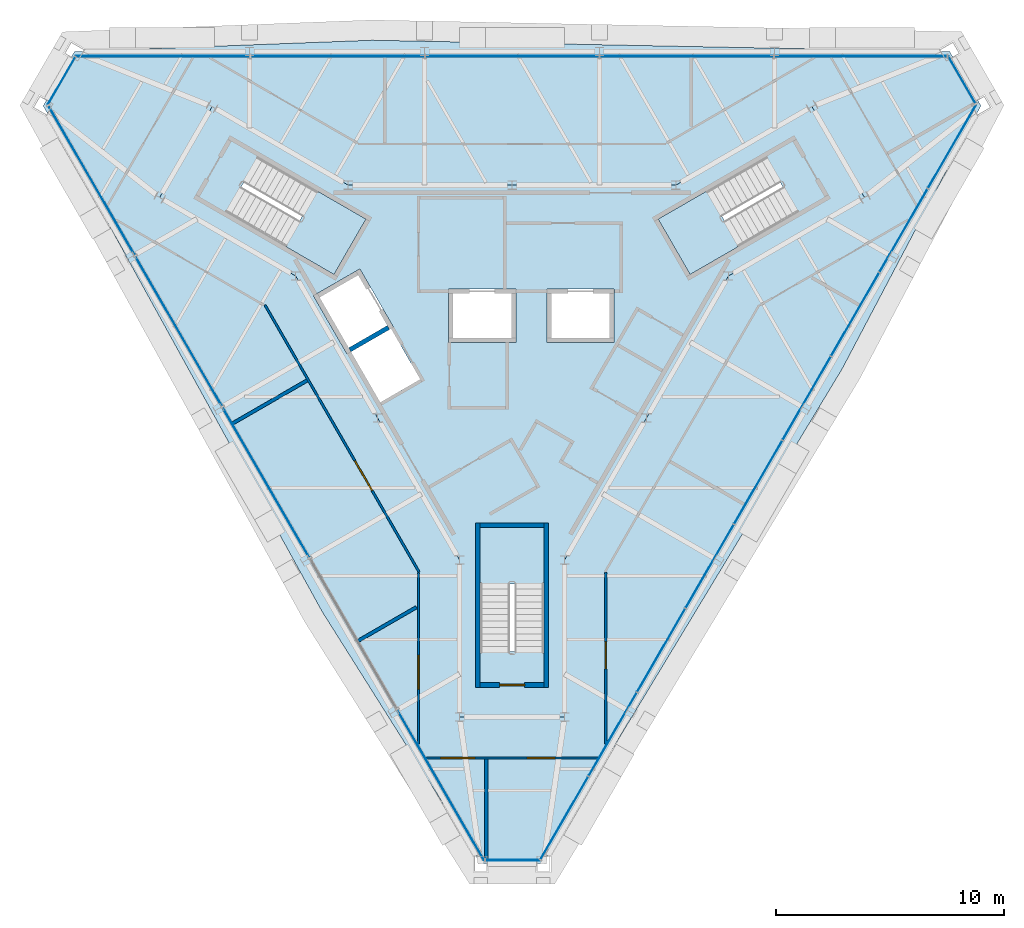
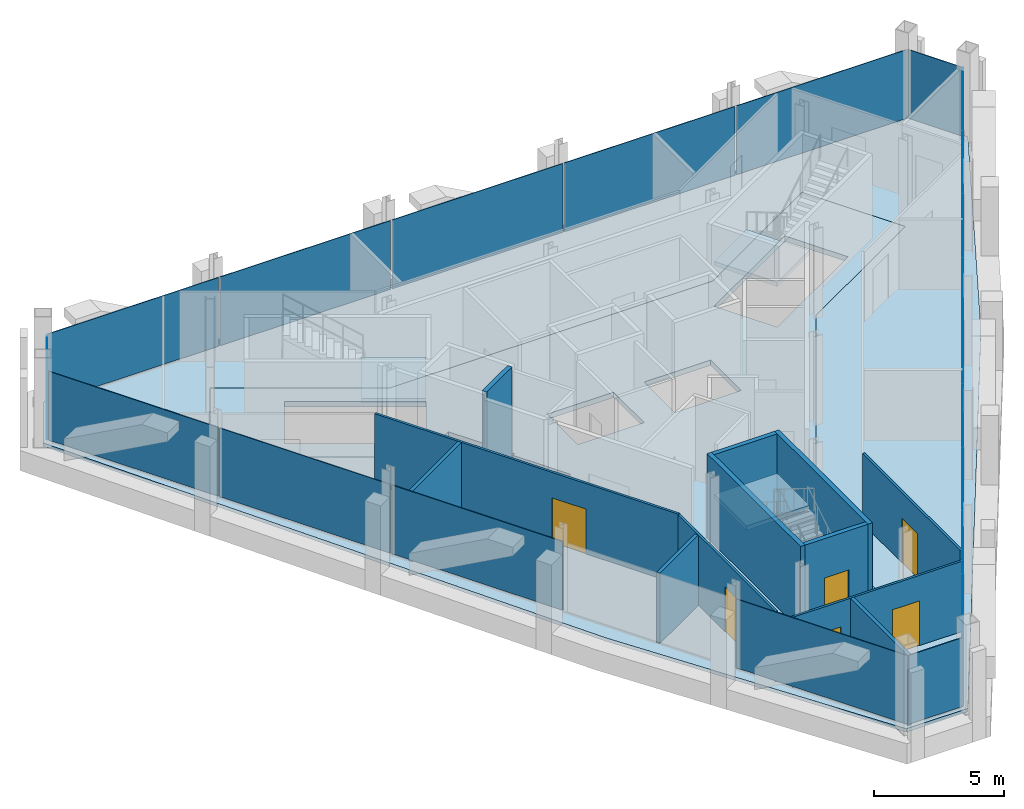
# One storey, part 8 of 13: 21 plates, 12 walls, 6 doors, 5 slabs, 6 openings, 9 elements without a shape of their own.
"""IFC4 building model written with IfcOpenShell, lengths in metres."""

from ifc_helpers import new_model, si_unit, direction, frame, frame_2d, origin, origin_2d, place, context, subcontext, project, spatial, polyline, rectangle, outline, extrude, material, layer, layer_set, type_object, element, fill, aggregate, save


model = new_model("IFC4")

# Units and contexts
model_context = context("Model", 3, precision=1e-05, world=origin(), true_north=direction((0.0, 1.0)))
body_context = subcontext(model_context, "Body", "Model", "MODEL_VIEW")
ifc_project = project(units=[si_unit("LENGTHUNIT", "METRE"), si_unit("AREAUNIT", "SQUARE_METRE"), si_unit("VOLUMEUNIT", "CUBIC_METRE"), si_unit("PLANEANGLEUNIT", "RADIAN"), si_unit("MASSUNIT", "GRAM", prefix="KILO")], contexts=[model_context])

# Site, building, storey
site_placement = place(None, origin())
site = spatial("IfcSite", under=ifc_project, at=site_placement, CompositionType="ELEMENT")
building_placement = place(site_placement, origin())
building = spatial("IfcBuilding", under=site, at=building_placement, Name="Verrane Prism Tower", CompositionType="ELEMENT")
storey_placement = place(building_placement, frame((0.0, 0.0, 316.800048828125)))
storey = spatial("IfcBuildingStorey", under=building, at=storey_placement, Name="L80", CompositionType="ELEMENT", Elevation=316.800048828125)

# Slabs
ifc_material_1 = material(Name="Concrete C35/45", Category="concrete")
ifc_layer_1 = layer(ifc_material_1, 0.159912109375)
ifc_layer_set_1 = layer_set([ifc_layer_1], Name="Composite floor slab")
slab_type_1 = type_object("IfcSlabType", Name="Composite floor slab", PredefinedType="FLOOR", material=ifc_layer_set_1)
slab_1_placement = place(storey_placement, frame((0.0, 0.0, -0.16015625)))
element("IfcSlab", 1, at=slab_1_placement, inside=storey, type_object=slab_type_1, Name="Floor slab L80", PredefinedType="FLOOR", context=body_context, shape_type="SweptSolid", body=[
    extrude(outline(polyline([(14.455810546875, -1.26171875), (1.368896484375, -22.9287109375), (-1.368896484375, -22.9287109375), (-8.320556640625, -11.88818359375), (-20.54150390625, 10.27880859375), (-19.17236328125, 12.64990234375), (-6.13525390625, 13.14990234375), (19.17236328125, 12.64990234375), (20.54150390625, 10.27880859375), (14.455810546875, -1.26171875)]), holes=[polyline([(15.43994140625, 6.260009765625), (13.139892578125, 10.239990234375), (7.179931640625, 6.800048828125), (0.0, 6.800048828125), (-7.179931640625, 6.800048828125), (-13.139892578125, 10.239990234375), (-15.43994140625, 6.260009765625), (-9.47998046875, 2.820068359375), (-5.889892578125, -3.39990234375), (-2.300048828125, -9.6201171875), (-2.300048828125, -16.5), (2.300048828125, -16.5), (2.300048828125, -9.6201171875), (5.889892578125, -3.39990234375), (9.47998046875, 2.820068359375), (15.43994140625, 6.260009765625)])]), origin(), (0.0, 0.0, 1.0), 0.16015625),
])
ifc_material_2 = material(Name="Concrete C40/50", Category="concrete")
ifc_layer_2 = layer(ifc_material_2, 0.25)
ifc_layer_set_2 = layer_set([ifc_layer_2], Name="Core floor slab 250 concrete C40/50")
slab_type_2 = type_object("IfcSlabType", Name="Core floor slab 250 concrete C40/50", PredefinedType="FLOOR", material=ifc_layer_set_2)
slab_2_placement = place(storey_placement, frame((0.0, 0.0, -0.25)))
element("IfcSlab", 2, at=slab_2_placement, inside=storey, type_object=slab_type_2, Name="Core floor L80", PredefinedType="FLOOR", context=body_context, shape_type="SweptSolid", body=[
    extrude(outline(polyline([(9.47998046875, 2.820068359375), (15.43994140625, 6.260009765625), (13.139892578125, 10.239990234375), (7.179931640625, 6.800048828125), (0.0, 6.800048828125), (-7.179931640625, 6.800048828125), (-13.139892578125, 10.239990234375), (-15.43994140625, 6.260009765625), (-9.47998046875, 2.820068359375), (-5.889892578125, -3.39990234375), (-2.300048828125, -9.6201171875), (-2.300048828125, -16.5), (2.300048828125, -16.5), (2.300048828125, -9.6201171875), (5.889892578125, -3.39990234375), (9.47998046875, 2.820068359375)]), holes=[polyline([(-1.39990234375, -8.199951171875), (1.39990234375, -8.199951171875), (1.39990234375, -13.639892578125), (-1.39990234375, -13.639892578125), (-1.39990234375, -8.199951171875)]), polyline([(0.1650390625, 2.25), (0.1650390625, -0.10009765625), (-2.784912109375, -0.10009765625), (-2.784912109375, 2.25), (0.1650390625, 2.25)]), polyline([(4.47509765625, 2.25), (4.47509765625, -0.10009765625), (1.52490234375, -0.10009765625), (1.52490234375, 2.25), (4.47509765625, 2.25)]), polyline([(-6.40087890625, 5.31201171875), (-7.801025390625, 2.887939453125), (-12.512939453125, 5.60791015625), (-11.113037109375, 8.031982421875), (-6.40087890625, 5.31201171875)]), polyline([(7.801025390625, 2.887939453125), (6.40087890625, 5.31201171875), (11.113037109375, 8.031982421875), (12.512939453125, 5.60791015625), (7.801025390625, 2.887939453125)]), polyline([(-4.02099609375, -1.7041015625), (-5.77490234375, -2.717041015625), (-7.055419921875, -0.500244140625), (-7.22900390625, -0.60009765625), (-8.7041015625, 1.955078125), (-6.66796875, 3.1298828125), (-5.193115234375, 0.574951171875), (-5.301513671875, 0.5126953125), (-4.02099609375, -1.7041015625)])]), origin(), (0.0, 0.0, 1.0), 0.25),
])

# Curtain wall, plate
ifc_material_3 = material(Name="Aluminium framed insulated glazing", Category="aluminium")
curtain_wall_type_1 = type_object("IfcCurtainWallType", Name="Curtain wall CW-C 4200 module", PredefinedType="NOTDEFINED", material=ifc_material_3)
curtain_wall_1_placement = place(storey_placement, origin())
curtain_wall_1 = element("IfcCurtainWall", 3, at=curtain_wall_1_placement, inside=storey, type_object=curtain_wall_type_1, Name="Glazed curtain wall north-west corner L80", PredefinedType="NOTDEFINED")
ifc_material_4 = material(Name="Low-iron insulating glass unit", Category="glass")
ifc_layer_3 = layer(ifc_material_4, 0.02392578125)
ifc_layer_set_3 = layer_set([ifc_layer_3], Name="Glazing panel IGU 24")
plate_type_1 = type_object("IfcPlateType", Name="Glazing panel IGU 24", PredefinedType="CURTAIN_PANEL", material=ifc_layer_set_3)
plate_1_placement = place(storey_placement, frame((-19.73779296875, 11.36669921875, 0.050048828125), z_axis=(0.0, 0.0, 1.0), x_axis=(-0.500000941634, -0.866024860131, 0.0)))
plate_1 = element("IfcPlate", 4, at=plate_1_placement, type_object=plate_type_1, Name="CW80.3 panel 1", PredefinedType="CURTAIN_PANEL", context=body_context, shape_type="SweptSolid", body=[
    extrude(rectangle(XDim=2.395263671875, YDim=0.02392578125, at=origin_2d()), origin(), (0.0, 0.0, 1.0), 3.24658203125),
])
aggregate(curtain_wall_1, [plate_1])

# Curtain wall, plates
curtain_wall_2_placement = place(storey_placement, origin())
curtain_wall_2 = element("IfcCurtainWall", 5, at=curtain_wall_2_placement, inside=storey, type_object=curtain_wall_type_1, Name="Glazed curtain wall south-east face L80", PredefinedType="NOTDEFINED")
plate_2_placement = place(storey_placement, frame((2.290771484375, -20.9267578125, 0.050048828125), z_axis=(0.0, 0.0, 1.0), x_axis=(0.500000216749, 0.866025278644, 0.0)))
plate_2 = element("IfcPlate", 6, at=plate_2_placement, type_object=plate_type_1, Name="CW80.6 panel 1", PredefinedType="CURTAIN_PANEL", context=body_context, shape_type="SweptSolid", body=[
    extrude(rectangle(XDim=4.172607421875, YDim=0.02392578125, at=origin_2d()), origin(), (0.0, 0.0, 1.0), 3.24658203125),
])
plate_3_placement = place(storey_placement, frame((4.408203125, -17.259033203125, 0.050048828125), z_axis=(0.0, 0.0, 1.0), x_axis=(0.500000216749, 0.866025278644, 0.0)))
plate_3 = element("IfcPlate", 7, at=plate_3_placement, type_object=plate_type_1, Name="CW80.6 panel 2", PredefinedType="CURTAIN_PANEL", context=body_context, shape_type="SweptSolid", body=[
    extrude(rectangle(XDim=4.197509765625, YDim=0.02392578125, at=origin_2d()), origin(), (0.0, 0.0, 1.0), 3.24658203125),
])
plate_4_placement = place(storey_placement, frame((6.531982421875, -13.58056640625, 0.050048828125), z_axis=(0.0, 0.0, 1.0), x_axis=(0.500000216749, 0.866025278644, 0.0)))
plate_4 = element("IfcPlate", 8, at=plate_4_placement, type_object=plate_type_1, Name="CW80.6 panel 3", PredefinedType="CURTAIN_PANEL", context=body_context, shape_type="SweptSolid", body=[
    extrude(rectangle(XDim=4.197509765625, YDim=0.02392578125, at=origin_2d()), origin(), (0.0, 0.0, 1.0), 3.24658203125),
])
plate_5_placement = place(storey_placement, frame((8.65576171875, -9.902099609375, 0.050048828125), z_axis=(0.0, 0.0, 1.0), x_axis=(0.500000216749, 0.866025278644, 0.0)))
plate_5 = element("IfcPlate", 9, at=plate_5_placement, type_object=plate_type_1, Name="CW80.6 panel 4", PredefinedType="CURTAIN_PANEL", context=body_context, shape_type="SweptSolid", body=[
    extrude(rectangle(XDim=4.197509765625, YDim=0.02392578125, at=origin_2d()), origin(), (0.0, 0.0, 1.0), 3.24658203125),
])
plate_6_placement = place(storey_placement, frame((10.779541015625, -6.2236328125, 0.050048828125), z_axis=(0.0, 0.0, 1.0), x_axis=(0.500000216749, 0.866025278644, 0.0)))
plate_6 = element("IfcPlate", 10, at=plate_6_placement, type_object=plate_type_1, Name="CW80.6 panel 5", PredefinedType="CURTAIN_PANEL", context=body_context, shape_type="SweptSolid", body=[
    extrude(rectangle(XDim=4.197509765625, YDim=0.02392578125, at=origin_2d()), origin(), (0.0, 0.0, 1.0), 3.24658203125),
])
plate_7_placement = place(storey_placement, frame((12.9033203125, -2.545166015625, 0.050048828125), z_axis=(0.0, 0.0, 1.0), x_axis=(0.500000216749, 0.866025278644, 0.0)))
plate_7 = element("IfcPlate", 11, at=plate_7_placement, type_object=plate_type_1, Name="CW80.6 panel 6", PredefinedType="CURTAIN_PANEL", context=body_context, shape_type="SweptSolid", body=[
    extrude(rectangle(XDim=4.197509765625, YDim=0.02392578125, at=origin_2d()), origin(), (0.0, 0.0, 1.0), 3.24658203125),
])
plate_8_placement = place(storey_placement, frame((15.027099609375, 1.13330078125, 0.050048828125), z_axis=(0.0, 0.0, 1.0), x_axis=(0.500000216749, 0.866025278644, 0.0)))
plate_8 = element("IfcPlate", 12, at=plate_8_placement, type_object=plate_type_1, Name="CW80.6 panel 7", PredefinedType="CURTAIN_PANEL", context=body_context, shape_type="SweptSolid", body=[
    extrude(rectangle(XDim=4.197509765625, YDim=0.02392578125, at=origin_2d()), origin(), (0.0, 0.0, 1.0), 3.24658203125),
])
plate_9_placement = place(storey_placement, frame((17.15087890625, 4.811767578125, 0.050048828125), z_axis=(0.0, 0.0, 1.0), x_axis=(0.500000216749, 0.866025278644, 0.0)))
plate_9 = element("IfcPlate", 13, at=plate_9_placement, type_object=plate_type_1, Name="CW80.6 panel 8", PredefinedType="CURTAIN_PANEL", context=body_context, shape_type="SweptSolid", body=[
    extrude(rectangle(XDim=4.197509765625, YDim=0.02392578125, at=origin_2d()), origin(), (0.0, 0.0, 1.0), 3.24658203125),
])
plate_10_placement = place(storey_placement, frame((19.281005859375, 8.501220703125, 0.050048828125), z_axis=(0.0, 0.0, 1.0), x_axis=(0.500000216749, 0.866025278644, 0.0)))
plate_10 = element("IfcPlate", 14, at=plate_10_placement, type_object=plate_type_1, Name="CW80.6 panel 9", PredefinedType="CURTAIN_PANEL", context=body_context, shape_type="SweptSolid", body=[
    extrude(rectangle(XDim=4.22265625, YDim=0.02392578125, at=origin_2d()), origin(), (0.0, 0.0, 1.0), 3.24658203125),
])
aggregate(curtain_wall_2, [plate_2, plate_3, plate_4, plate_5, plate_6, plate_7, plate_8, plate_9, plate_10])

# Curtain wall, plate
ifc_material_5 = material(Name="Aluminium framed insulated glazing", Category="aluminium")
curtain_wall_type_2 = type_object("IfcCurtainWallType", Name="Curtain wall CW-B 5600 module", PredefinedType="NOTDEFINED", material=ifc_material_5)
curtain_wall_3_placement = place(storey_placement, origin())
curtain_wall_3 = element("IfcCurtainWall", 15, at=curtain_wall_3_placement, inside=storey, type_object=curtain_wall_type_2, Name="Glazed curtain wall south corner L80", PredefinedType="NOTDEFINED")
ifc_material_6 = material(Name="Low-iron insulating glass unit", Category="glass")
ifc_layer_4 = layer(ifc_material_6, 0.028076171875)
ifc_layer_set_4 = layer_set([ifc_layer_4], Name="Glazing panel IGU 28")
plate_type_2 = type_object("IfcPlateType", Name="Glazing panel IGU 28", PredefinedType="CURTAIN_PANEL", material=ifc_layer_set_4)
plate_11_placement = place(storey_placement, frame((0.030029296875, -22.77685546875, 0.059814453125), z_axis=(0.0, 0.0, 1.0), x_axis=(1.0, 0.0, 0.0)))
plate_11 = element("IfcPlate", 16, at=plate_11_placement, type_object=plate_type_2, Name="CW80.5 panel 1", PredefinedType="CURTAIN_PANEL", context=body_context, shape_type="SweptSolid", body=[
    extrude(rectangle(XDim=2.38525390625, YDim=0.028076171875, at=origin_2d()), origin(), (0.0, 0.0, 1.0), 3.23681640625),
])
aggregate(curtain_wall_3, [plate_11])

ifc_material_7 = material(Name="Aluminium framed insulated glazing", Category="aluminium")
curtain_wall_type_3 = type_object("IfcCurtainWallType", Name="Curtain wall CW-A 8400 module", PredefinedType="NOTDEFINED", material=ifc_material_7)
curtain_wall_4_placement = place(storey_placement, origin())
curtain_wall_4 = element("IfcCurtainWall", 17, at=curtain_wall_4_placement, inside=storey, type_object=curtain_wall_type_3, Name="Glazed curtain wall north-east corner L80", PredefinedType="NOTDEFINED")
ifc_material_8 = material(Name="Low-iron insulating glass unit", Category="glass")
ifc_layer_5 = layer(ifc_material_8, 0.031982421875)
ifc_layer_set_5 = layer_set([ifc_layer_5], Name="Glazing panel IGU 32")
plate_type_3 = type_object("IfcPlateType", Name="Glazing panel IGU 32", PredefinedType="CURTAIN_PANEL", material=ifc_layer_set_5)
plate_12_placement = place(storey_placement, frame((19.707763671875, 11.418701171875, 0.06982421875), z_axis=(0.0, 0.0, 1.0), x_axis=(-0.500000941634, 0.866024860131, 0.0)))
plate_12 = element("IfcPlate", 18, at=plate_12_placement, type_object=plate_type_3, Name="CW80.1 panel 1", PredefinedType="CURTAIN_PANEL", context=body_context, shape_type="SweptSolid", body=[
    extrude(rectangle(XDim=2.375244140625, YDim=0.031982421875, at=origin_2d()), origin(), (0.0, 0.0, 1.0), 3.226806640625),
])
aggregate(curtain_wall_4, [plate_12])

# Curtain wall, plates
curtain_wall_5_placement = place(storey_placement, origin())
curtain_wall_5 = element("IfcCurtainWall", 19, at=curtain_wall_5_placement, inside=storey, type_object=curtain_wall_type_3, Name="Glazed curtain wall north face L80", PredefinedType="NOTDEFINED")
plate_13_placement = place(storey_placement, frame((15.273681640625, 12.447265625, 0.06982421875), z_axis=(0.0, 0.0, 1.0), x_axis=(-1.0, 0.0, 0.0)))
plate_13 = element("IfcPlate", 20, at=plate_13_placement, type_object=plate_type_3, Name="CW80.2 panel 1", PredefinedType="CURTAIN_PANEL", context=body_context, shape_type="SweptSolid", body=[
    extrude(rectangle(XDim=7.54052734375, YDim=0.031982421875, at=origin_2d()), origin(), (0.0, 0.0, 1.0), 3.226806640625),
])
plate_14_placement = place(storey_placement, frame((7.6455078125, 12.447265625, 0.06982421875), z_axis=(0.0, 0.0, 1.0), x_axis=(-1.0, 0.0, 0.0)))
plate_14 = element("IfcPlate", 21, at=plate_14_placement, type_object=plate_type_3, Name="CW80.2 panel 2", PredefinedType="CURTAIN_PANEL", context=body_context, shape_type="SweptSolid", body=[
    extrude(rectangle(XDim=7.57568359375, YDim=0.031982421875, at=origin_2d()), origin(), (0.0, 0.0, 1.0), 3.226806640625),
])
plate_15_placement = place(storey_placement, frame((0.0, 12.447265625, 0.06982421875), z_axis=(0.0, 0.0, 1.0), x_axis=(-1.0, 0.0, 0.0)))
plate_15 = element("IfcPlate", 22, at=plate_15_placement, type_object=plate_type_3, Name="CW80.2 panel 3", PredefinedType="CURTAIN_PANEL", context=body_context, shape_type="SweptSolid", body=[
    extrude(rectangle(XDim=7.57568359375, YDim=0.031982421875, at=origin_2d()), origin(), (0.0, 0.0, 1.0), 3.226806640625),
])
plate_16_placement = place(storey_placement, frame((-7.6455078125, 12.447265625, 0.06982421875), z_axis=(0.0, 0.0, 1.0), x_axis=(-1.0, 0.0, 0.0)))
plate_16 = element("IfcPlate", 23, at=plate_16_placement, type_object=plate_type_3, Name="CW80.2 panel 4", PredefinedType="CURTAIN_PANEL", context=body_context, shape_type="SweptSolid", body=[
    extrude(rectangle(XDim=7.57568359375, YDim=0.031982421875, at=origin_2d()), origin(), (0.0, 0.0, 1.0), 3.226806640625),
])
plate_17_placement = place(storey_placement, frame((-15.30859375, 12.447265625, 0.06982421875), z_axis=(0.0, 0.0, 1.0), x_axis=(-1.0, 0.0, 0.0)))
plate_17 = element("IfcPlate", 24, at=plate_17_placement, type_object=plate_type_3, Name="CW80.2 panel 5", PredefinedType="CURTAIN_PANEL", context=body_context, shape_type="SweptSolid", body=[
    extrude(rectangle(XDim=7.610595703125, YDim=0.031982421875, at=origin_2d()), origin(), (0.0, 0.0, 1.0), 3.226806640625),
])
aggregate(curtain_wall_5, [plate_13, plate_14, plate_15, plate_16, plate_17])

curtain_wall_6_placement = place(storey_placement, origin())
curtain_wall_6 = element("IfcCurtainWall", 25, at=curtain_wall_6_placement, inside=storey, type_object=curtain_wall_type_3, Name="Glazed curtain wall south-west face L80", PredefinedType="NOTDEFINED")
plate_18_placement = place(storey_placement, frame((-18.41650390625, 7.00390625, 0.06982421875), z_axis=(0.0, 0.0, 1.0), x_axis=(0.500000216749, -0.866025278644, 0.0)))
plate_18 = element("IfcPlate", 26, at=plate_18_placement, type_object=plate_type_3, Name="CW80.4 panel 1", PredefinedType="CURTAIN_PANEL", context=body_context, shape_type="SweptSolid", body=[
    extrude(rectangle(XDim=7.54052734375, YDim=0.031982421875, at=origin_2d()), origin(), (0.0, 0.0, 1.0), 3.226806640625),
])
plate_19_placement = place(storey_placement, frame((-14.602294921875, 0.397705078125, 0.06982421875), z_axis=(0.0, 0.0, 1.0), x_axis=(0.500000216749, -0.866025278644, 0.0)))
plate_19 = element("IfcPlate", 27, at=plate_19_placement, type_object=plate_type_3, Name="CW80.4 panel 2", PredefinedType="CURTAIN_PANEL", context=body_context, shape_type="SweptSolid", body=[
    extrude(rectangle(XDim=7.57568359375, YDim=0.031982421875, at=origin_2d()), origin(), (0.0, 0.0, 1.0), 3.226806640625),
])
plate_20_placement = place(storey_placement, frame((-10.779541015625, -6.2236328125, 0.06982421875), z_axis=(0.0, 0.0, 1.0), x_axis=(0.500000216749, -0.866025278644, 0.0)))
plate_20 = element("IfcPlate", 28, at=plate_20_placement, type_object=plate_type_3, Name="CW80.4 panel 3", PredefinedType="CURTAIN_PANEL", context=body_context, shape_type="SweptSolid", body=[
    extrude(rectangle(XDim=7.57568359375, YDim=0.031982421875, at=origin_2d()), origin(), (0.0, 0.0, 1.0), 3.226806640625),
])
plate_21_placement = place(storey_placement, frame((-3.125244140625, -19.481201171875, 0.06982421875), z_axis=(0.0, 0.0, 1.0), x_axis=(0.500000216749, -0.866025278644, 0.0)))
plate_21 = element("IfcPlate", 29, at=plate_21_placement, type_object=plate_type_3, Name="CW80.4 panel 5", PredefinedType="CURTAIN_PANEL", context=body_context, shape_type="SweptSolid", body=[
    extrude(rectangle(XDim=7.610595703125, YDim=0.031982421875, at=origin_2d()), origin(), (0.0, 0.0, 1.0), 3.226806640625),
])
aggregate(curtain_wall_6, [plate_18, plate_19, plate_20, plate_21])

# Stair, slab
ifc_material_9 = material(Name="Concrete C40/50", Category="concrete")
stair_type = type_object("IfcStairType", Name="Exit stair 1300 dog-leg precast concrete C40/50", PredefinedType="HALF_TURN_STAIR", material=ifc_material_9)
stair_1_placement = place(storey_placement, origin())
stair_1 = element("IfcStair", 30, at=stair_1_placement, inside=storey, type_object=stair_type, Name="Stair 1 L80", PredefinedType="HALF_TURN_STAIR")
ifc_material_10 = material(Name="Concrete C40/50", Category="concrete")
ifc_layer_6 = layer(ifc_material_10, 0.199951171875)
ifc_layer_set_6 = layer_set([ifc_layer_6], Name="Stair landing 200 precast concrete C40/50")
slab_type_3 = type_object("IfcSlabType", Name="Stair landing 200 precast concrete C40/50", PredefinedType="LANDING", material=ifc_layer_set_6)
slab_3_placement = place(storey_placement, frame((0.0, 0.0, 1.89990234375)))
slab_3 = element("IfcSlab", 31, at=slab_3_placement, type_object=slab_type_3, Name="Stair 1 landing 1", PredefinedType="LANDING", context=body_context, shape_type="SweptSolid", body=[
    extrude(outline(polyline([(8.549072265625, 6.552490234375), (6.4013671875, 5.3125), (7.801513671875, 2.887451171875), (9.94921875, 4.127685546875), (8.549072265625, 6.552490234375)])), origin(), (0.0, 0.0, 1.0), 0.199951171875),
])
aggregate(stair_1, [slab_3])

stair_2_placement = place(storey_placement, origin())
stair_2 = element("IfcStair", 32, at=stair_2_placement, inside=storey, type_object=stair_type, Name="Stair 2 L80", PredefinedType="HALF_TURN_STAIR")
slab_4_placement = place(storey_placement, frame((0.0, 0.0, 1.89990234375)))
slab_4 = element("IfcSlab", 33, at=slab_4_placement, type_object=slab_type_3, Name="Stair 2 landing 1", PredefinedType="LANDING", context=body_context, shape_type="SweptSolid", body=[
    extrude(outline(polyline([(-9.94921875, 4.127685546875), (-7.801513671875, 2.887451171875), (-6.4013671875, 5.3125), (-8.549072265625, 6.552490234375), (-9.94921875, 4.127685546875)])), origin(), (0.0, 0.0, 1.0), 0.199951171875),
])
aggregate(stair_2, [slab_4])

stair_3_placement = place(storey_placement, origin())
stair_3 = element("IfcStair", 34, at=stair_3_placement, inside=storey, type_object=stair_type, Name="Stair 3 L80", PredefinedType="HALF_TURN_STAIR")
slab_5_placement = place(storey_placement, frame((0.0, 0.0, 1.89990234375)))
slab_5 = element("IfcSlab", 35, at=slab_5_placement, type_object=slab_type_3, Name="Stair 3 landing 1", PredefinedType="LANDING", context=body_context, shape_type="SweptSolid", body=[
    extrude(outline(polyline([(1.39990234375, -10.679931640625), (1.39990234375, -8.199951171875), (-1.39990234375, -8.199951171875), (-1.39990234375, -10.679931640625), (1.39990234375, -10.679931640625)])), origin(), (0.0, 0.0, 1.0), 0.199951171875),
])
aggregate(stair_3, [slab_5])

# Wall, opening, door
ifc_material_11 = material(Name="Concrete C40/50", Category="concrete")
ifc_layer_7 = layer(ifc_material_11, 0.199951171875)
ifc_layer_set_7 = layer_set([ifc_layer_7], Name="CW-200 stair core wall concrete C40/50 3 h")
wall_type_1 = type_object("IfcWallType", Name="CW-200 stair core wall concrete C40/50 3 h", PredefinedType="PARTITIONING", material=ifc_layer_set_7)
wall_1_placement = place(storey_placement, frame((-1.39990234375, -15.10009765625, 0.0), z_axis=(0.0, 0.0, 1.0), x_axis=(1.0, 0.0, 0.0)))
wall_1 = element("IfcWall", 36, at=wall_1_placement, inside=storey, type_object=wall_type_1, Name="Stair 3 enclosure wall", PredefinedType="PARTITIONING", context=body_context, shape_type="SweptSolid", body=[
    extrude(rectangle(XDim=2.7998046875, YDim=0.199951171875, at=frame_2d((1.39990234375, 0.0))), origin(), (0.0, 0.0, 1.0), 3.949951171875),
])
opening_1_placement = place(wall_1_placement, frame((0.85009765625, 0.0, 0.0)))
opening_1 = element("IfcOpeningElement", 37, at=opening_1_placement, cuts=wall_1, Name="Opening D80502", PredefinedType="OPENING", context=body_context, shape_type="SweptSolid", body=[
    extrude(rectangle(XDim=1.10009765625, YDim=2.10009765625, at=frame_2d((0.550048828125, 1.050048828125))), frame((0.0, 0.10986328125, 0.0), z_axis=(0.0, -1.0, 0.0), x_axis=(1.0, 0.0, 0.0)), (0.0, 0.0, 1.0), 0.219970703125),
])
ifc_material_12 = material(Name="Timber veneered door leaf", Category="wood")
door_type_1 = type_object("IfcDoorType", Name="DR-1100x2100 FD90 single leaf stair", OperationType="NOTDEFINED", PredefinedType="DOOR", material=ifc_material_12)
door_1_placement = place(opening_1_placement, origin())
door_1 = element("IfcDoor", 38, at=door_1_placement, inside=storey, type_object=door_type_1, Name="Stair 3 door", OperationType="SINGLE_SWING_LEFT", OverallHeight=2.10009765625, OverallWidth=1.10009765625, PredefinedType="DOOR", context=body_context, shape_type="SweptSolid", body=[
    extrude(rectangle(XDim=1.10009765625, YDim=2.10009765625, at=frame_2d((0.550048828125, 1.050048828125))), frame((0.0, 0.02490234375, 0.0), z_axis=(0.0, -1.0, 0.0), x_axis=(1.0, 0.0, 0.0)), (0.0, 0.0, 1.0), 0.050048828125),
])
fill(opening_1, door_1)

# Walls
for number, where, z_axis, x_axis, name in (
    (39, (1.5, -8.0, 0.0), (0.0, 0.0, 1.0), (0.0, -1.0, 0.0), "Stair 3 enclosure wall"),
    (40, (-1.5, -8.0, 0.0), (0.0, 0.0, 1.0), (0.0, -1.0, 0.0), "Stair 3 enclosure wall"),
):
    element("IfcWall", number, at=place(storey_placement, frame(where, z_axis=z_axis, x_axis=x_axis)), inside=storey, type_object=wall_type_1, Name=name, PredefinedType="PARTITIONING", context=body_context, shape_type="SweptSolid", body=[
        extrude(rectangle(XDim=7.199951171875, YDim=0.199951171875, at=frame_2d((3.60009765625, 0.0))), origin(), (0.0, 0.0, 1.0), 3.949951171875),
    ])
wall_2_placement = place(storey_placement, frame((-1.39990234375, -8.10009765625, 0.0), z_axis=(0.0, 0.0, 1.0), x_axis=(1.0, 0.0, 0.0)))
element("IfcWall", 41, at=wall_2_placement, inside=storey, type_object=wall_type_1, Name="Stair 3 enclosure wall", PredefinedType="PARTITIONING", context=body_context, shape_type="SweptSolid", body=[
    extrude(rectangle(XDim=2.7998046875, YDim=0.199951171875, at=frame_2d((1.39990234375, 0.0))), origin(), (0.0, 0.0, 1.0), 3.949951171875),
])
ifc_material_13 = material(Name="Gypsum board shaft wall assembly", Category="other")
ifc_layer_8 = layer(ifc_material_13, 0.199951171875)
ifc_layer_set_8 = layer_set([ifc_layer_8], Name="HW-200 lift shaft wall 2 h")
wall_type_2 = type_object("IfcWallType", Name="HW-200 lift shaft wall 2 h", PredefinedType="PARTITIONING", material=ifc_layer_set_8)
wall_3_placement = place(storey_placement, frame((-7.10546875, -0.4130859375, 0.0), z_axis=(0.0, 0.0, 1.0), x_axis=(0.866000020948, 0.500043961785, 0.0)))
element("IfcWall", 42, at=wall_3_placement, inside=storey, type_object=wall_type_2, Name="Lift shaft wall", PredefinedType="PARTITIONING", context=body_context, shape_type="SweptSolid", body=[
    extrude(rectangle(XDim=1.949951171875, YDim=0.199951171875, at=frame_2d((0.97509765625, 0.0))), origin(), (0.0, 0.0, 1.0), 4.199951171875),
])

# Wall, opening, door
ifc_material_14 = material(Name="Gypsum board partition", Category="other")
ifc_layer_9 = layer(ifc_material_14, 0.10009765625)
ifc_layer_set_9 = layer_set([ifc_layer_9], Name="PW-100 crown corridor wall 1 h")
wall_type_3 = type_object("IfcWallType", Name="PW-100 crown corridor wall 1 h", PredefinedType="PARTITIONING", material=ifc_layer_set_9)
wall_4_placement = place(storey_placement, frame((-4.074951171875, -10.145263671875, 0.0), z_axis=(0.0, 0.0, 1.0), x_axis=(-0.499912942625, 0.866075660549, 0.0)))
wall_4 = element("IfcWall", 43, at=wall_4_placement, inside=storey, type_object=wall_type_3, Name="Corridor wall 005", PredefinedType="PARTITIONING", context=body_context, shape_type="SweptSolid", body=[
    extrude(rectangle(XDim=13.49853515625, YDim=0.10009765625, at=frame_2d((6.749267578125, 0.0))), origin(), (0.0, 0.0, 1.0), 3.296875),
])
opening_2_placement = place(wall_4_placement, frame((4.117431640625, 0.0, 0.0)))
opening_2 = element("IfcOpeningElement", 44, at=opening_2_placement, cuts=wall_4, Name="Opening D80006", PredefinedType="OPENING", context=body_context, shape_type="SweptSolid", body=[
    extrude(rectangle(XDim=1.5, YDim=2.10009765625, at=frame_2d((0.75, 1.050048828125))), frame((0.0, 0.06005859375, 0.0), z_axis=(0.0, -1.0, 0.0), x_axis=(1.0, 0.0, 0.0)), (0.0, 0.0, 1.0), 0.1201171875),
])
ifc_material_15 = material(Name="Timber veneered door leaf", Category="wood")
door_type_2 = type_object("IfcDoorType", Name="DR-1500x2100 FD60 double leaf unit", OperationType="NOTDEFINED", PredefinedType="DOOR", material=ifc_material_15)
door_2_placement = place(opening_2_placement, origin())
door_2 = element("IfcDoor", 45, at=door_2_placement, inside=storey, type_object=door_type_2, Name="Mechanical Plant Room door", OperationType="DOUBLE_DOOR_SINGLE_SWING", OverallHeight=2.10009765625, OverallWidth=1.5, PredefinedType="DOOR", context=body_context, shape_type="SweptSolid", body=[
    extrude(rectangle(XDim=1.5, YDim=2.10009765625, at=frame_2d((0.75, 1.050048828125))), frame((0.0, 0.02490234375, 0.0), z_axis=(0.0, -1.0, 0.0), x_axis=(1.0, 0.0, 0.0)), (0.0, 0.0, 1.0), 0.050048828125),
])
fill(opening_2, door_2)

wall_5_placement = place(storey_placement, frame((-4.10009765625, -17.679931640625, 0.0), z_axis=(0.0, 0.0, 1.0), x_axis=(0.0, 1.0, 0.0)))
wall_5 = element("IfcWall", 46, at=wall_5_placement, inside=storey, type_object=wall_type_3, Name="Corridor wall 009", PredefinedType="PARTITIONING", context=body_context, shape_type="SweptSolid", body=[
    extrude(rectangle(XDim=7.5078125, YDim=0.10009765625, at=frame_2d((3.75390625, 0.0))), origin(), (0.0, 0.0, 1.0), 3.296875),
])
opening_3_placement = place(wall_5_placement, frame((2.386962890625, 0.0, 0.0)))
opening_3 = element("IfcOpeningElement", 47, at=opening_3_placement, cuts=wall_5, Name="Opening D80007", PredefinedType="OPENING", context=body_context, shape_type="SweptSolid", body=[
    extrude(rectangle(XDim=1.5, YDim=2.10009765625, at=frame_2d((0.75, 1.050048828125))), frame((0.0, 0.06005859375, 0.0), z_axis=(0.0, -1.0, 0.0), x_axis=(1.0, 0.0, 0.0)), (0.0, 0.0, 1.0), 0.1201171875),
])
door_3_placement = place(opening_3_placement, origin())
door_3 = element("IfcDoor", 48, at=door_3_placement, inside=storey, type_object=door_type_2, Name="Mechanical Plant Room door", OperationType="DOUBLE_DOOR_SINGLE_SWING", OverallHeight=2.10009765625, OverallWidth=1.5, PredefinedType="DOOR", context=body_context, shape_type="SweptSolid", body=[
    extrude(rectangle(XDim=1.5, YDim=2.10009765625, at=frame_2d((0.75, 1.050048828125))), frame((0.0, 0.02490234375, 0.0), z_axis=(0.0, -1.0, 0.0), x_axis=(1.0, 0.0, 0.0)), (0.0, 0.0, 1.0), 0.050048828125),
])
fill(opening_3, door_3)

# Wall, openings, doors
wall_6_placement = place(storey_placement, frame((3.762939453125, -18.300048828125, 0.0), z_axis=(0.0, 0.0, 1.0), x_axis=(-1.0, 0.0, 0.0)))
wall_6 = element("IfcWall", 49, at=wall_6_placement, inside=storey, type_object=wall_type_3, Name="Corridor wall 010", PredefinedType="PARTITIONING", context=body_context, shape_type="SweptSolid", body=[
    extrude(rectangle(XDim=7.52587890625, YDim=0.10009765625, at=frame_2d((3.762939453125, 0.0))), origin(), (0.0, 0.0, 1.0), 3.296875),
])
opening_4_placement = place(wall_6_placement, frame((1.89892578125, 0.0, 0.0)))
opening_4 = element("IfcOpeningElement", 50, at=opening_4_placement, cuts=wall_6, Name="Opening D80008", PredefinedType="OPENING", context=body_context, shape_type="SweptSolid", body=[
    extrude(rectangle(XDim=1.199951171875, YDim=2.10009765625, at=frame_2d((0.60009765625, 1.050048828125))), frame((0.0, 0.06005859375, 0.0), z_axis=(0.0, -1.0, 0.0), x_axis=(1.0, 0.0, 0.0)), (0.0, 0.0, 1.0), 0.1201171875),
])
opening_5_placement = place(wall_6_placement, frame((5.396728515625, 0.0, 0.0)))
opening_5 = element("IfcOpeningElement", 51, at=opening_5_placement, cuts=wall_6, Name="Opening D80013", PredefinedType="OPENING", context=body_context, shape_type="SweptSolid", body=[
    extrude(rectangle(XDim=1.5, YDim=2.10009765625, at=frame_2d((0.75, 1.050048828125))), frame((0.0, 0.06005859375, 0.0), z_axis=(0.0, -1.0, 0.0), x_axis=(1.0, 0.0, 0.0)), (0.0, 0.0, 1.0), 0.1201171875),
])
ifc_material_16 = material(Name="Timber veneered door leaf", Category="wood")
door_type_3 = type_object("IfcDoorType", Name="DR-1200x2100 FD60 single leaf unit", OperationType="NOTDEFINED", PredefinedType="DOOR", material=ifc_material_16)
door_4_placement = place(opening_4_placement, origin())
door_4 = element("IfcDoor", 52, at=door_4_placement, inside=storey, type_object=door_type_3, Name="Lift Machine Room door", OperationType="SINGLE_SWING_LEFT", OverallHeight=2.10009765625, OverallWidth=1.199951171875, PredefinedType="DOOR", context=body_context, shape_type="SweptSolid", body=[
    extrude(rectangle(XDim=1.199951171875, YDim=2.10009765625, at=frame_2d((0.60009765625, 1.050048828125))), frame((0.0, 0.02490234375, 0.0), z_axis=(0.0, -1.0, 0.0), x_axis=(1.0, 0.0, 0.0)), (0.0, 0.0, 1.0), 0.050048828125),
])
fill(opening_4, door_4)
door_5_placement = place(opening_5_placement, origin())
door_5 = element("IfcDoor", 53, at=door_5_placement, inside=storey, type_object=door_type_2, Name="Mechanical Plant Room door", OperationType="DOUBLE_DOOR_SINGLE_SWING", OverallHeight=2.10009765625, OverallWidth=1.5, PredefinedType="DOOR", context=body_context, shape_type="SweptSolid", body=[
    extrude(rectangle(XDim=1.5, YDim=2.10009765625, at=frame_2d((0.75, 1.050048828125))), frame((0.0, 0.02490234375, 0.0), z_axis=(0.0, -1.0, 0.0), x_axis=(1.0, 0.0, 0.0)), (0.0, 0.0, 1.0), 0.050048828125),
])
fill(opening_5, door_5)

# Wall, opening, door
wall_7_placement = place(storey_placement, frame((4.10009765625, -10.172119140625, 0.0), z_axis=(0.0, 0.0, 1.0), x_axis=(0.0, -1.0, 0.0)))
wall_7 = element("IfcWall", 54, at=wall_7_placement, inside=storey, type_object=wall_type_3, Name="Corridor wall 012", PredefinedType="PARTITIONING", context=body_context, shape_type="SweptSolid", body=[
    extrude(rectangle(XDim=7.5078125, YDim=0.10009765625, at=frame_2d((3.75390625, 0.0))), origin(), (0.0, 0.0, 1.0), 3.296875),
])
opening_6_placement = place(wall_7_placement, frame((3.02099609375, 0.0, 0.0)))
opening_6 = element("IfcOpeningElement", 55, at=opening_6_placement, cuts=wall_7, Name="Opening D80009", PredefinedType="OPENING", context=body_context, shape_type="SweptSolid", body=[
    extrude(rectangle(XDim=1.199951171875, YDim=2.10009765625, at=frame_2d((0.60009765625, 1.050048828125))), frame((0.0, 0.06005859375, 0.0), z_axis=(0.0, -1.0, 0.0), x_axis=(1.0, 0.0, 0.0)), (0.0, 0.0, 1.0), 0.1201171875),
])
door_6_placement = place(opening_6_placement, origin())
door_6 = element("IfcDoor", 56, at=door_6_placement, inside=storey, type_object=door_type_3, Name="Lift Machine Room door", OperationType="SINGLE_SWING_RIGHT", OverallHeight=2.10009765625, OverallWidth=1.199951171875, PredefinedType="DOOR", context=body_context, shape_type="SweptSolid", body=[
    extrude(rectangle(XDim=1.199951171875, YDim=2.10009765625, at=frame_2d((0.60009765625, 1.050048828125))), frame((0.0, 0.02490234375, 0.0), z_axis=(0.0, -1.0, 0.0), x_axis=(1.0, 0.0, 0.0)), (0.0, 0.0, 1.0), 0.050048828125),
])
fill(opening_6, door_6)

# Walls
ifc_material_17 = material(Name="Gypsum board partition", Category="other")
ifc_layer_10 = layer(ifc_material_17, 0.14990234375)
ifc_layer_set_10 = layer_set([ifc_layer_10], Name="PW-150 demising wall 1 h")
wall_type_4 = type_object("IfcWallType", Name="PW-150 demising wall 1 h", PredefinedType="PARTITIONING", material=ifc_layer_set_10)
wall_8_placement = place(storey_placement, frame((-12.251953125, -3.64501953125, 0.0), z_axis=(0.0, 0.0, 1.0), x_axis=(0.866034027923, 0.499985062256, 0.0)))
element("IfcWall", 57, at=wall_8_placement, inside=storey, type_object=wall_type_4, Name="Demising wall 004", PredefinedType="PARTITIONING", context=body_context, shape_type="SweptSolid", body=[
    extrude(rectangle(XDim=3.7822265625, YDim=0.14990234375, at=frame_2d((1.89111328125, 0.0))), origin(), (0.0, 0.0, 1.0), 3.296875),
])
wall_9_placement = place(storey_placement, frame((-6.7529296875, -13.169921875, 0.0), z_axis=(0.0, 0.0, 1.0), x_axis=(0.866125201583, 0.499827105291, 0.0)))
element("IfcWall", 58, at=wall_9_placement, inside=storey, type_object=wall_type_4, Name="Demising wall 007", PredefinedType="PARTITIONING", context=body_context, shape_type="SweptSolid", body=[
    extrude(rectangle(XDim=2.9619140625, YDim=0.14990234375, at=frame_2d((1.48095703125, 0.0))), origin(), (0.0, 0.0, 1.0), 3.296875),
])
wall_10_placement = place(storey_placement, frame((-1.135986328125, -22.763916015625, 0.0), z_axis=(0.0, 0.0, 1.0), x_axis=(0.0, 1.0, 0.0)))
element("IfcWall", 59, at=wall_10_placement, inside=storey, type_object=wall_type_4, Name="Demising wall 011", PredefinedType="PARTITIONING", context=body_context, shape_type="SweptSolid", body=[
    extrude(rectangle(XDim=4.413818359375, YDim=0.14990234375, at=frame_2d((2.20703125, 0.0))), origin(), (0.0, 0.0, 1.0), 3.296875),
])

save(model, "model.ifc")
